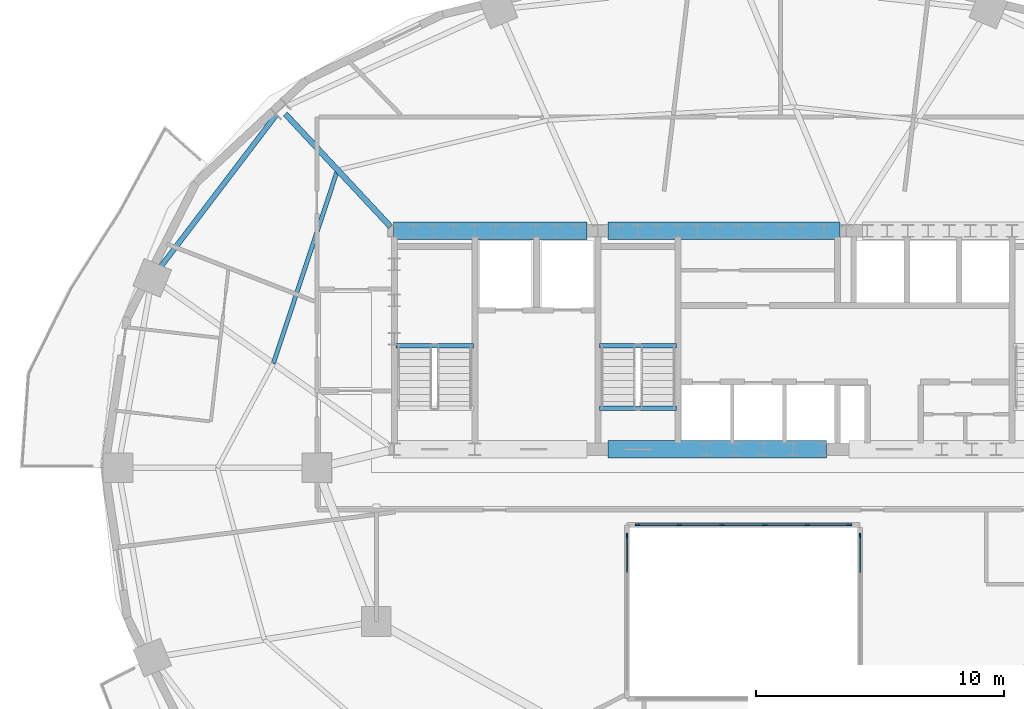
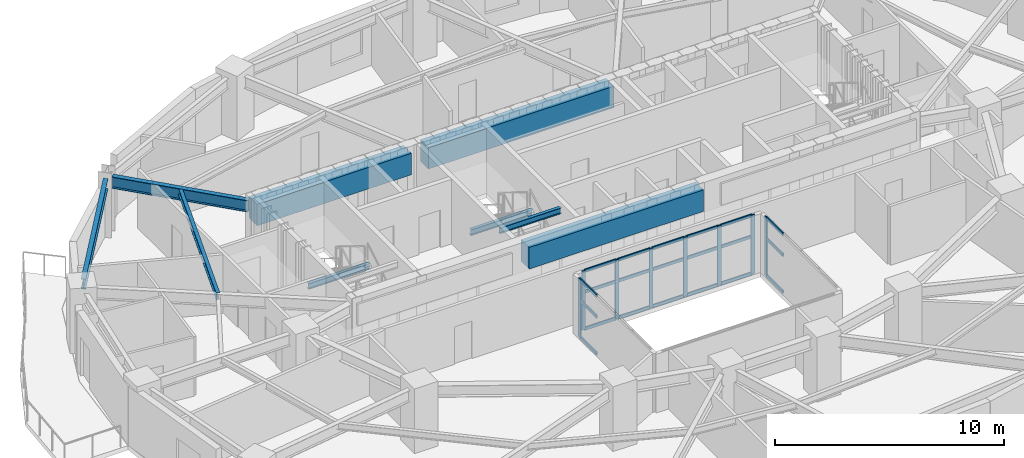
# One storey, part 3 of 12: 29 members, 9 beams, 3 elements without a shape of their own.
"""IFC4 building model written with IfcOpenShell, lengths in metres."""

from ifc_helpers import new_model, si_unit, direction, frame, origin, origin_2d, place, context, subcontext, project, spatial, rectangle, i_section, extrude, material, material_profile, profile_set, type_object, element, aggregate, save


model = new_model("IFC4")

# Units and contexts
model_context = context("Model", 3, precision=1e-05, world=origin(), true_north=direction((0.0, 1.0)))
body_context = subcontext(model_context, "Body", "Model", "MODEL_VIEW")
ifc_project = project(units=[si_unit("LENGTHUNIT", "METRE"), si_unit("AREAUNIT", "SQUARE_METRE"), si_unit("VOLUMEUNIT", "CUBIC_METRE"), si_unit("PLANEANGLEUNIT", "RADIAN"), si_unit("MASSUNIT", "GRAM", prefix="KILO")], contexts=[model_context])

# Site, building, storey
site_placement = place(None, origin())
site = spatial("IfcSite", under=ifc_project, at=site_placement, CompositionType="ELEMENT")
building_placement = place(site_placement, origin())
building = spatial("IfcBuilding", under=site, at=building_placement, Name="Haldorwick Loom Tower", CompositionType="ELEMENT")
storey_placement = place(building_placement, frame((0.0, 0.0, 146.0)))
storey = spatial("IfcBuildingStorey", under=building, at=storey_placement, Name="L39", CompositionType="ELEMENT", Elevation=146.0)

# Curtain wall, members
ifc_material_1 = material(Name="Thermally Broken Anodized Aluminium Curtain Wall Framing", Category="aluminium")
curtain_wall_type = type_object("IfcCurtainWallType", Name="ARC-CW-03", PredefinedType="NOTDEFINED", material=ifc_material_1)
curtain_wall_1_placement = place(storey_placement, origin())
curtain_wall_1 = element("IfcCurtainWall", 1, at=curtain_wall_1_placement, inside=storey, type_object=curtain_wall_type, Name="L39 Atrium Glazed Screen N", PredefinedType="NOTDEFINED")
ifc_material_profile_1 = material_profile(ifc_material_1, rectangle(XDim=0.06591796875, YDim=0.18505859375, at=origin_2d()), Name="ALU_MUL_66X185", Category="aluminium")
ifc_profile_set_1 = profile_set([ifc_material_profile_1], Name="Thermally Broken Anodized Aluminium Curtain Wall Framing")
member_type_1 = type_object("IfcMemberType", Name="ARC-CWM-03", PredefinedType="MULLION", material=ifc_profile_set_1)
member_1_placement = place(storey_placement, frame((31.73291015625, 23.699951171875, 0.0), z_axis=(0.0, 0.0, 1.0), x_axis=(0.0, 1.0, 0.0)))
member_1 = element("IfcMember", 2, at=member_1_placement, type_object=member_type_1, Name="CW-03 mullion 1", PredefinedType="MULLION", context=body_context, shape_type="SweptSolid", body=[
    extrude(rectangle(XDim=0.06591796875, YDim=0.18505859375, at=origin_2d()), origin(), (0.0, 0.0, 1.0), 3.14990234375),
])
member_2_placement = place(storey_placement, frame((33.419921875, 23.699951171875, 0.0), z_axis=(0.0, 0.0, 1.0), x_axis=(0.0, 1.0, 0.0)))
member_2 = element("IfcMember", 3, at=member_2_placement, type_object=member_type_1, Name="CW-03 mullion 2", PredefinedType="MULLION", context=body_context, shape_type="SweptSolid", body=[
    extrude(rectangle(XDim=0.06591796875, YDim=0.18505859375, at=origin_2d()), origin(), (0.0, 0.0, 1.0), 3.14990234375),
])
member_3_placement = place(storey_placement, frame((35.139892578125, 23.699951171875, 0.0), z_axis=(0.0, 0.0, 1.0), x_axis=(0.0, 1.0, 0.0)))
member_3 = element("IfcMember", 4, at=member_3_placement, type_object=member_type_1, Name="CW-03 mullion 3", PredefinedType="MULLION", context=body_context, shape_type="SweptSolid", body=[
    extrude(rectangle(XDim=0.06591796875, YDim=0.18505859375, at=origin_2d()), origin(), (0.0, 0.0, 1.0), 3.14990234375),
])
member_4_placement = place(storey_placement, frame((36.860107421875, 23.699951171875, 0.0), z_axis=(0.0, 0.0, 1.0), x_axis=(0.0, 1.0, 0.0)))
member_4 = element("IfcMember", 5, at=member_4_placement, type_object=member_type_1, Name="CW-03 mullion 4", PredefinedType="MULLION", context=body_context, shape_type="SweptSolid", body=[
    extrude(rectangle(XDim=0.06591796875, YDim=0.18505859375, at=origin_2d()), origin(), (0.0, 0.0, 1.0), 3.14990234375),
])
member_5_placement = place(storey_placement, frame((38.580078125, 23.699951171875, 0.0), z_axis=(0.0, 0.0, 1.0), x_axis=(0.0, 1.0, 0.0)))
member_5 = element("IfcMember", 6, at=member_5_placement, type_object=member_type_1, Name="CW-03 mullion 5", PredefinedType="MULLION", context=body_context, shape_type="SweptSolid", body=[
    extrude(rectangle(XDim=0.06591796875, YDim=0.18505859375, at=origin_2d()), origin(), (0.0, 0.0, 1.0), 3.14990234375),
])
member_6_placement = place(storey_placement, frame((40.26708984375, 23.699951171875, 0.0), z_axis=(0.0, 0.0, 1.0), x_axis=(0.0, 1.0, 0.0)))
member_6 = element("IfcMember", 7, at=member_6_placement, type_object=member_type_1, Name="CW-03 mullion 6", PredefinedType="MULLION", context=body_context, shape_type="SweptSolid", body=[
    extrude(rectangle(XDim=0.06591796875, YDim=0.18505859375, at=origin_2d()), origin(), (0.0, 0.0, 1.0), 3.14990234375),
])

# Curtain wall, member
curtain_wall_2_placement = place(storey_placement, origin())
curtain_wall_2 = element("IfcCurtainWall", 8, at=curtain_wall_2_placement, inside=storey, type_object=curtain_wall_type, Name="L39 Atrium Glazed Screen W", PredefinedType="NOTDEFINED")
member_7_placement = place(storey_placement, frame((31.300048828125, 23.26708984375, 0.0), z_axis=(0.0, 0.0, 1.0), x_axis=(-1.0, 0.0, 0.0)))
member_7 = element("IfcMember", 9, at=member_7_placement, type_object=member_type_1, Name="CW-03 mullion 5", PredefinedType="MULLION", context=body_context, shape_type="SweptSolid", body=[
    extrude(rectangle(XDim=0.06591796875, YDim=0.18505859375, at=origin_2d()), origin(), (0.0, 0.0, 1.0), 3.14990234375),
])

curtain_wall_3_placement = place(storey_placement, origin())
curtain_wall_3 = element("IfcCurtainWall", 10, at=curtain_wall_3_placement, inside=storey, type_object=curtain_wall_type, Name="L39 Atrium Glazed Screen E", PredefinedType="NOTDEFINED")
member_8_placement = place(storey_placement, frame((40.699951171875, 23.26708984375, 0.0), z_axis=(0.0, 0.0, 1.0), x_axis=(1.0, 0.0, 0.0)))
member_8 = element("IfcMember", 11, at=member_8_placement, type_object=member_type_1, Name="CW-03 mullion 1", PredefinedType="MULLION", context=body_context, shape_type="SweptSolid", body=[
    extrude(rectangle(XDim=0.06591796875, YDim=0.18505859375, at=origin_2d()), origin(), (0.0, 0.0, 1.0), 3.14990234375),
])

# Member
ifc_material_profile_2 = material_profile(ifc_material_1, rectangle(XDim=0.06591796875, YDim=0.1650390625, at=origin_2d()), Name="ALU_TRN_66X165", Category="aluminium")
ifc_profile_set_2 = profile_set([ifc_material_profile_2], Name="Thermally Broken Anodized Aluminium Curtain Wall Framing")
member_type_2 = type_object("IfcMemberType", Name="ARC-CWT-03", PredefinedType="USERDEFINED", material=ifc_profile_set_2)
member_9_placement = place(storey_placement, frame((31.76611328125, 23.699951171875, 0.032958984375), z_axis=(1.0, 0.0, 0.0), x_axis=(0.0, 1.0, 0.0)))
member_9 = element("IfcMember", 12, at=member_9_placement, type_object=member_type_2, Name="CW-03 transom 1.1", ObjectType="TRANSOM", PredefinedType="USERDEFINED", context=body_context, shape_type="SweptSolid", body=[
    extrude(rectangle(XDim=0.06591796875, YDim=0.1650390625, at=origin_2d()), origin(), (0.0, 0.0, 1.0), 1.620849609375),
])

member_10_placement = place(storey_placement, frame((31.76611328125, 23.699951171875, 2.0), z_axis=(1.0, 0.0, 0.0), x_axis=(0.0, 1.0, 0.0)))
member_10 = element("IfcMember", 13, at=member_10_placement, type_object=member_type_2, Name="CW-03 transom 1.2", ObjectType="TRANSOM", PredefinedType="USERDEFINED", context=body_context, shape_type="SweptSolid", body=[
    extrude(rectangle(XDim=0.06591796875, YDim=0.1650390625, at=origin_2d()), origin(), (0.0, 0.0, 1.0), 1.620849609375),
])

member_11_placement = place(storey_placement, frame((31.76611328125, 23.699951171875, 3.116943359375), z_axis=(1.0, 0.0, 0.0), x_axis=(0.0, 1.0, 0.0)))
member_11 = element("IfcMember", 14, at=member_11_placement, type_object=member_type_2, Name="CW-03 transom 1.3", ObjectType="TRANSOM", PredefinedType="USERDEFINED", context=body_context, shape_type="SweptSolid", body=[
    extrude(rectangle(XDim=0.06591796875, YDim=0.1650390625, at=origin_2d()), origin(), (0.0, 0.0, 1.0), 1.620849609375),
])

member_12_placement = place(storey_placement, frame((33.452880859375, 23.699951171875, 0.032958984375), z_axis=(1.0, 0.0, 0.0), x_axis=(0.0, 1.0, 0.0)))
member_12 = element("IfcMember", 15, at=member_12_placement, type_object=member_type_2, Name="CW-03 transom 2.1", ObjectType="TRANSOM", PredefinedType="USERDEFINED", context=body_context, shape_type="SweptSolid", body=[
    extrude(rectangle(XDim=0.06591796875, YDim=0.1650390625, at=origin_2d()), origin(), (0.0, 0.0, 1.0), 1.654052734375),
])

member_13_placement = place(storey_placement, frame((33.452880859375, 23.699951171875, 2.0), z_axis=(1.0, 0.0, 0.0), x_axis=(0.0, 1.0, 0.0)))
member_13 = element("IfcMember", 16, at=member_13_placement, type_object=member_type_2, Name="CW-03 transom 2.2", ObjectType="TRANSOM", PredefinedType="USERDEFINED", context=body_context, shape_type="SweptSolid", body=[
    extrude(rectangle(XDim=0.06591796875, YDim=0.1650390625, at=origin_2d()), origin(), (0.0, 0.0, 1.0), 1.654052734375),
])

member_14_placement = place(storey_placement, frame((33.452880859375, 23.699951171875, 3.116943359375), z_axis=(1.0, 0.0, 0.0), x_axis=(0.0, 1.0, 0.0)))
member_14 = element("IfcMember", 17, at=member_14_placement, type_object=member_type_2, Name="CW-03 transom 2.3", ObjectType="TRANSOM", PredefinedType="USERDEFINED", context=body_context, shape_type="SweptSolid", body=[
    extrude(rectangle(XDim=0.06591796875, YDim=0.1650390625, at=origin_2d()), origin(), (0.0, 0.0, 1.0), 1.654052734375),
])

member_15_placement = place(storey_placement, frame((35.173095703125, 23.699951171875, 0.032958984375), z_axis=(1.0, 0.0, 0.0), x_axis=(0.0, 1.0, 0.0)))
member_15 = element("IfcMember", 18, at=member_15_placement, type_object=member_type_2, Name="CW-03 transom 3.1", ObjectType="TRANSOM", PredefinedType="USERDEFINED", context=body_context, shape_type="SweptSolid", body=[
    extrude(rectangle(XDim=0.06591796875, YDim=0.1650390625, at=origin_2d()), origin(), (0.0, 0.0, 1.0), 1.65380859375),
])

member_16_placement = place(storey_placement, frame((35.173095703125, 23.699951171875, 2.0), z_axis=(1.0, 0.0, 0.0), x_axis=(0.0, 1.0, 0.0)))
member_16 = element("IfcMember", 19, at=member_16_placement, type_object=member_type_2, Name="CW-03 transom 3.2", ObjectType="TRANSOM", PredefinedType="USERDEFINED", context=body_context, shape_type="SweptSolid", body=[
    extrude(rectangle(XDim=0.06591796875, YDim=0.1650390625, at=origin_2d()), origin(), (0.0, 0.0, 1.0), 1.65380859375),
])

member_17_placement = place(storey_placement, frame((35.173095703125, 23.699951171875, 3.116943359375), z_axis=(1.0, 0.0, 0.0), x_axis=(0.0, 1.0, 0.0)))
member_17 = element("IfcMember", 20, at=member_17_placement, type_object=member_type_2, Name="CW-03 transom 3.3", ObjectType="TRANSOM", PredefinedType="USERDEFINED", context=body_context, shape_type="SweptSolid", body=[
    extrude(rectangle(XDim=0.06591796875, YDim=0.1650390625, at=origin_2d()), origin(), (0.0, 0.0, 1.0), 1.65380859375),
])

member_18_placement = place(storey_placement, frame((36.89306640625, 23.699951171875, 0.032958984375), z_axis=(1.0, 0.0, 0.0), x_axis=(0.0, 1.0, 0.0)))
member_18 = element("IfcMember", 21, at=member_18_placement, type_object=member_type_2, Name="CW-03 transom 4.1", ObjectType="TRANSOM", PredefinedType="USERDEFINED", context=body_context, shape_type="SweptSolid", body=[
    extrude(rectangle(XDim=0.06591796875, YDim=0.1650390625, at=origin_2d()), origin(), (0.0, 0.0, 1.0), 1.654052734375),
])

member_19_placement = place(storey_placement, frame((36.89306640625, 23.699951171875, 2.0), z_axis=(1.0, 0.0, 0.0), x_axis=(0.0, 1.0, 0.0)))
member_19 = element("IfcMember", 22, at=member_19_placement, type_object=member_type_2, Name="CW-03 transom 4.2", ObjectType="TRANSOM", PredefinedType="USERDEFINED", context=body_context, shape_type="SweptSolid", body=[
    extrude(rectangle(XDim=0.06591796875, YDim=0.1650390625, at=origin_2d()), origin(), (0.0, 0.0, 1.0), 1.654052734375),
])

member_20_placement = place(storey_placement, frame((36.89306640625, 23.699951171875, 3.116943359375), z_axis=(1.0, 0.0, 0.0), x_axis=(0.0, 1.0, 0.0)))
member_20 = element("IfcMember", 23, at=member_20_placement, type_object=member_type_2, Name="CW-03 transom 4.3", ObjectType="TRANSOM", PredefinedType="USERDEFINED", context=body_context, shape_type="SweptSolid", body=[
    extrude(rectangle(XDim=0.06591796875, YDim=0.1650390625, at=origin_2d()), origin(), (0.0, 0.0, 1.0), 1.654052734375),
])

member_21_placement = place(storey_placement, frame((38.613037109375, 23.699951171875, 0.032958984375), z_axis=(1.0, 0.0, 0.0), x_axis=(0.0, 1.0, 0.0)))
member_21 = element("IfcMember", 24, at=member_21_placement, type_object=member_type_2, Name="CW-03 transom 5.1", ObjectType="TRANSOM", PredefinedType="USERDEFINED", context=body_context, shape_type="SweptSolid", body=[
    extrude(rectangle(XDim=0.06591796875, YDim=0.1650390625, at=origin_2d()), origin(), (0.0, 0.0, 1.0), 1.620849609375),
])

member_22_placement = place(storey_placement, frame((38.613037109375, 23.699951171875, 2.0), z_axis=(1.0, 0.0, 0.0), x_axis=(0.0, 1.0, 0.0)))
member_22 = element("IfcMember", 25, at=member_22_placement, type_object=member_type_2, Name="CW-03 transom 5.2", ObjectType="TRANSOM", PredefinedType="USERDEFINED", context=body_context, shape_type="SweptSolid", body=[
    extrude(rectangle(XDim=0.06591796875, YDim=0.1650390625, at=origin_2d()), origin(), (0.0, 0.0, 1.0), 1.620849609375),
])

member_23_placement = place(storey_placement, frame((38.613037109375, 23.699951171875, 3.116943359375), z_axis=(1.0, 0.0, 0.0), x_axis=(0.0, 1.0, 0.0)))
member_23 = element("IfcMember", 26, at=member_23_placement, type_object=member_type_2, Name="CW-03 transom 5.3", ObjectType="TRANSOM", PredefinedType="USERDEFINED", context=body_context, shape_type="SweptSolid", body=[
    extrude(rectangle(XDim=0.06591796875, YDim=0.1650390625, at=origin_2d()), origin(), (0.0, 0.0, 1.0), 1.620849609375),
])

aggregate(curtain_wall_1, [member_1, member_2, member_3, member_4, member_5, member_6, member_9, member_10, member_11, member_12, member_13, member_14, member_15, member_16, member_17, member_18, member_19, member_20, member_21, member_22, member_23])

member_24_placement = place(storey_placement, frame((31.300048828125, 21.782958984375, 0.032958984375), z_axis=(0.0, 1.0, 0.0), x_axis=(-1.0, 0.0, 0.0)))
member_24 = element("IfcMember", 27, at=member_24_placement, type_object=member_type_2, Name="CW-03 transom 4.1", ObjectType="TRANSOM", PredefinedType="USERDEFINED", context=body_context, shape_type="SweptSolid", body=[
    extrude(rectangle(XDim=0.06591796875, YDim=0.1650390625, at=origin_2d()), origin(), (0.0, 0.0, 1.0), 1.450927734375),
])

member_25_placement = place(storey_placement, frame((31.300048828125, 21.782958984375, 2.0), z_axis=(0.0, 1.0, 0.0), x_axis=(-1.0, 0.0, 0.0)))
member_25 = element("IfcMember", 28, at=member_25_placement, type_object=member_type_2, Name="CW-03 transom 4.2", ObjectType="TRANSOM", PredefinedType="USERDEFINED", context=body_context, shape_type="SweptSolid", body=[
    extrude(rectangle(XDim=0.06591796875, YDim=0.1650390625, at=origin_2d()), origin(), (0.0, 0.0, 1.0), 1.450927734375),
])

member_26_placement = place(storey_placement, frame((31.300048828125, 21.782958984375, 3.116943359375), z_axis=(0.0, 1.0, 0.0), x_axis=(-1.0, 0.0, 0.0)))
member_26 = element("IfcMember", 29, at=member_26_placement, type_object=member_type_2, Name="CW-03 transom 4.3", ObjectType="TRANSOM", PredefinedType="USERDEFINED", context=body_context, shape_type="SweptSolid", body=[
    extrude(rectangle(XDim=0.06591796875, YDim=0.1650390625, at=origin_2d()), origin(), (0.0, 0.0, 1.0), 1.450927734375),
])

aggregate(curtain_wall_2, [member_7, member_24, member_25, member_26])

member_27_placement = place(storey_placement, frame((40.699951171875, 23.23388671875, 0.032958984375), z_axis=(0.0, -1.0, 0.0), x_axis=(1.0, 0.0, 0.0)))
member_27 = element("IfcMember", 30, at=member_27_placement, type_object=member_type_2, Name="CW-03 transom 1.1", ObjectType="TRANSOM", PredefinedType="USERDEFINED", context=body_context, shape_type="SweptSolid", body=[
    extrude(rectangle(XDim=0.06591796875, YDim=0.1650390625, at=origin_2d()), origin(), (0.0, 0.0, 1.0), 1.450927734375),
])

member_28_placement = place(storey_placement, frame((40.699951171875, 23.23388671875, 2.0), z_axis=(0.0, -1.0, 0.0), x_axis=(1.0, 0.0, 0.0)))
member_28 = element("IfcMember", 31, at=member_28_placement, type_object=member_type_2, Name="CW-03 transom 1.2", ObjectType="TRANSOM", PredefinedType="USERDEFINED", context=body_context, shape_type="SweptSolid", body=[
    extrude(rectangle(XDim=0.06591796875, YDim=0.1650390625, at=origin_2d()), origin(), (0.0, 0.0, 1.0), 1.450927734375),
])

member_29_placement = place(storey_placement, frame((40.699951171875, 23.23388671875, 3.116943359375), z_axis=(0.0, -1.0, 0.0), x_axis=(1.0, 0.0, 0.0)))
member_29 = element("IfcMember", 32, at=member_29_placement, type_object=member_type_2, Name="CW-03 transom 1.3", ObjectType="TRANSOM", PredefinedType="USERDEFINED", context=body_context, shape_type="SweptSolid", body=[
    extrude(rectangle(XDim=0.06591796875, YDim=0.1650390625, at=origin_2d()), origin(), (0.0, 0.0, 1.0), 1.450927734375),
])

aggregate(curtain_wall_3, [member_8, member_27, member_28, member_29])

# Beams
ifc_material_2 = material(Name="Concrete C60 (60 MPa)", Category="concrete")
ifc_material_profile_3 = material_profile(ifc_material_2, rectangle(XDim=0.699951171875, YDim=1.14990234375, at=origin_2d()), Name="RC700X1150", Category="concrete")
ifc_profile_set_3 = profile_set([ifc_material_profile_3], Name="Concrete C60 (60 MPa)")
beam_type_1 = type_object("IfcBeamType", Name="STR-BM-CB1150", PredefinedType="LINTEL", material=ifc_profile_set_3)
beam_1_placement = place(storey_placement, frame((21.89990234375, 35.550048828125, 2.574951171875), z_axis=(1.0, 0.0, 0.0), x_axis=(0.0, 1.0, 0.0)))
element("IfcBeam", 33, at=beam_1_placement, inside=storey, type_object=beam_type_1, Name="L39 Core Coupling Beam CB-N1", PredefinedType="LINTEL", context=body_context, shape_type="SweptSolid", body=[
    extrude(rectangle(XDim=0.699951171875, YDim=1.14990234375, at=origin_2d()), origin(), (0.0, 0.0, 1.0), 7.800048828125),
])
beam_2_placement = place(storey_placement, frame((30.550048828125, 35.550048828125, 2.574951171875), z_axis=(1.0, 0.0, 0.0), x_axis=(0.0, 1.0, 0.0)))
element("IfcBeam", 34, at=beam_2_placement, inside=storey, type_object=beam_type_1, Name="L39 Core Coupling Beam CB-N2", PredefinedType="LINTEL", context=body_context, shape_type="SweptSolid", body=[
    extrude(rectangle(XDim=0.699951171875, YDim=1.14990234375, at=origin_2d()), origin(), (0.0, 0.0, 1.0), 9.349853515625),
])
beam_3_placement = place(storey_placement, frame((30.550048828125, 26.75, 2.574951171875), z_axis=(1.0, 0.0, 0.0), x_axis=(0.0, 1.0, 0.0)))
element("IfcBeam", 35, at=beam_3_placement, inside=storey, type_object=beam_type_1, Name="L39 Core Coupling Beam CB-S2", PredefinedType="LINTEL", context=body_context, shape_type="SweptSolid", body=[
    extrude(rectangle(XDim=0.699951171875, YDim=1.14990234375, at=origin_2d()), origin(), (0.0, 0.0, 1.0), 8.800048828125),
])
ifc_material_3 = material(Name="Steel CSA G40.21 350W", Category="steel")
ifc_material_profile_4 = material_profile(ifc_material_3, i_section(OverallWidth=0.172119140625, OverallDepth=0.35791015625, WebThickness=0.0078125, FlangeThickness=0.01318359375, at=origin_2d()), Name="W360X57", Category="steel")
ifc_profile_set_4 = profile_set([ifc_material_profile_4], Name="Steel CSA G40.21 350W")
beam_type_2 = type_object("IfcBeamType", Name="STR-BM-J360", PredefinedType="JOIST", material=ifc_profile_set_4)
beam_4_placement = place(storey_placement, frame((19.63720703125, 38.007080078125, 2.970947265625), z_axis=(-0.314980632705, -0.949098098734, 0.0), x_axis=(0.949098098734, -0.314980632705, 0.0)))
element("IfcBeam", 36, at=beam_4_placement, inside=storey, type_object=beam_type_2, Name="L39 Mid-Bay Secondary Joist 7", PredefinedType="JOIST", context=body_context, shape_type="SweptSolid", body=[
    extrude(i_section(OverallWidth=0.172119140625, OverallDepth=0.35791015625, WebThickness=0.0078125, FlangeThickness=0.01318359375, at=origin_2d()), origin(), (0.0, 0.0, 1.0), 8.223876953125),
])
ifc_material_profile_5 = material_profile(ifc_material_3, i_section(OverallWidth=0.2119140625, OverallDepth=0.5439453125, WebThickness=0.01318359375, FlangeThickness=0.021240234375, at=origin_2d()), Name="W530X123", Category="steel")
ifc_profile_set_5 = profile_set([ifc_material_profile_5], Name="Steel CSA G40.21 350W")
beam_type_3 = type_object("IfcBeamType", Name="STR-BM-SP530", PredefinedType="SPANDREL", material=ifc_profile_set_5)
beam_5_placement = place(storey_placement, frame((17.177978515625, 40.245361328125, 2.8779296875), z_axis=(-0.605421356486, -0.795905133236, 0.0), x_axis=(0.795905133236, -0.605421356486, 0.0)))
element("IfcBeam", 37, at=beam_5_placement, inside=storey, type_object=beam_type_3, Name="L39 Perimeter Spandrel 7", PredefinedType="SPANDREL", context=body_context, shape_type="SweptSolid", body=[
    extrude(i_section(OverallWidth=0.2119140625, OverallDepth=0.5439453125, WebThickness=0.01318359375, FlangeThickness=0.021240234375, at=origin_2d()), origin(), (0.0, 0.0, 1.0), 7.761962890625),
])
ifc_material_profile_6 = material_profile(ifc_material_3, i_section(OverallWidth=0.166015625, OverallDepth=0.31298828125, WebThickness=0.006591796875, FlangeThickness=0.01123046875, at=origin_2d()), Name="W310X45", Category="steel")
ifc_profile_set_6 = profile_set([ifc_material_profile_6], Name="Steel CSA G40.21 350W")
beam_type_4 = type_object("IfcBeamType", Name="STR-BM-STRM", PredefinedType="BEAM", material=ifc_profile_set_6)
for number, where, z_axis, x_axis, name in (
    (38, (21.989990234375, 30.919921875, 1.368408203125), (1.0, 0.0, 0.0), (0.0, 1.0, 0.0), "L39 Stair ST-01 Half-Landing Trimmer 1"),
    (39, (30.18994140625, 28.39990234375, 2.993408203125), (1.0, 0.0, 0.0), (0.0, 1.0, 0.0), "L39 Stair ST-03 Landing Edge Trimmer"),
    (40, (30.18994140625, 30.919921875, 1.368408203125), (1.0, 0.0, 0.0), (0.0, 1.0, 0.0), "L39 Stair ST-03 Half-Landing Trimmer 1"),
):
    element("IfcBeam", number, at=place(storey_placement, frame(where, z_axis=z_axis, x_axis=x_axis)), inside=storey, type_object=beam_type_4, Name=name, PredefinedType="BEAM", context=body_context, shape_type="SweptSolid", body=[
        extrude(i_section(OverallWidth=0.166015625, OverallDepth=0.31298828125, WebThickness=0.006591796875, FlangeThickness=0.01123046875, at=origin_2d()), origin(), (0.0, 0.0, 1.0), 3.1201171875),
    ])
ifc_material_profile_7 = material_profile(ifc_material_3, i_section(OverallWidth=0.22998046875, OverallDepth=0.616943359375, WebThickness=0.01318359375, FlangeThickness=0.022216796875, at=origin_2d()), Name="W610X140", Category="steel")
ifc_profile_set_7 = profile_set([ifc_material_profile_7], Name="Steel CSA G40.21 350W")
beam_type_5 = type_object("IfcBeamType", Name="STR-BM-W610B", PredefinedType="BEAM", material=ifc_profile_set_7)
beam_6_placement = place(storey_placement, frame((21.776611328125, 35.714599609375, 2.841552734375), z_axis=(-0.682256728841, 0.731112683484, 0.0), x_axis=(-0.731112683484, -0.682256728841, 0.0)))
element("IfcBeam", 41, at=beam_6_placement, inside=storey, type_object=beam_type_5, Name="L39 Radial Floor Girder 7", PredefinedType="BEAM", context=body_context, shape_type="SweptSolid", body=[
    extrude(i_section(OverallWidth=0.22998046875, OverallDepth=0.616943359375, WebThickness=0.01318359375, FlangeThickness=0.022216796875, at=origin_2d()), origin(), (0.0, 0.0, 1.0), 6.221435546875),
])

save(model, "model.ifc")
